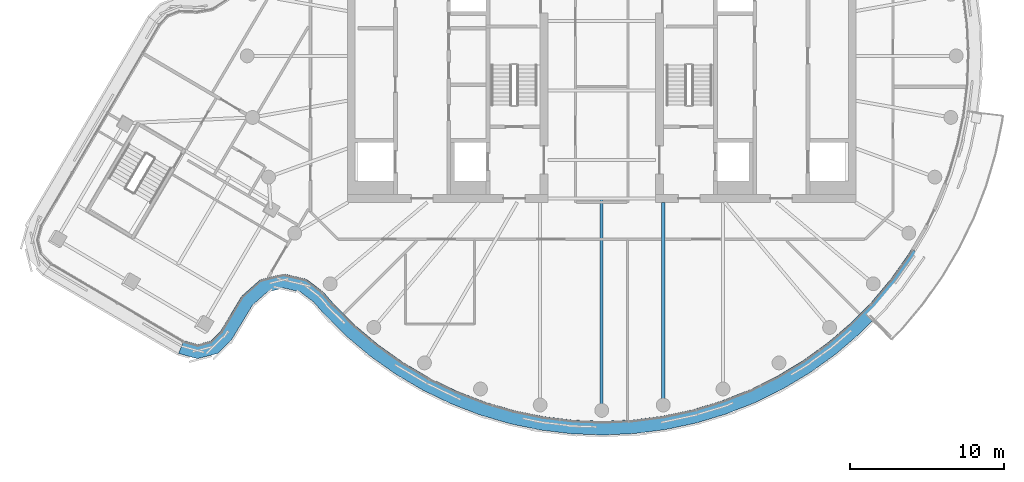
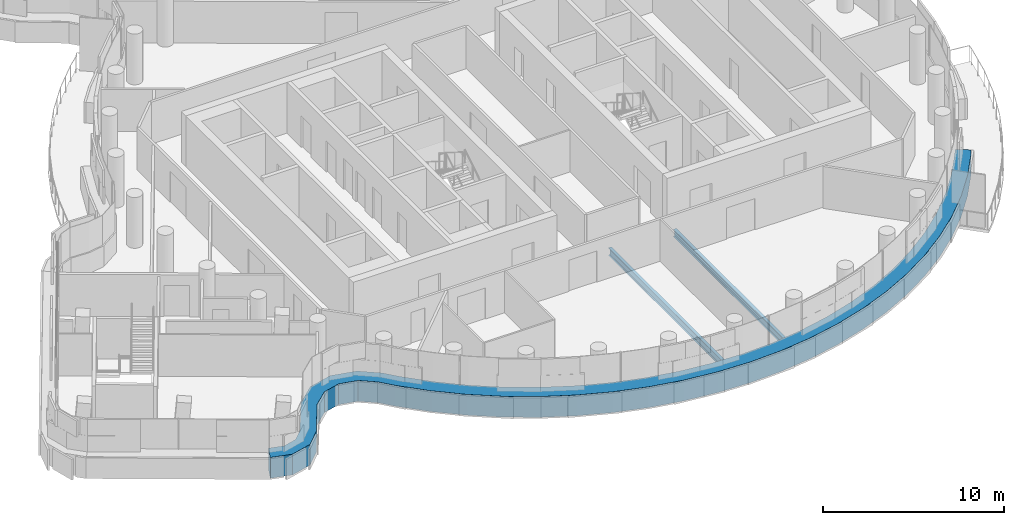
# One storey, part 6 of 26: 2 beams, 1 member, 1 element without a shape of its own.
"""IFC4 building model written with IfcOpenShell, lengths in metres."""

from ifc_helpers import new_model, si_unit, direction, frame, origin, origin_2d, place, context, subcontext, project, spatial, polyline, i_section, outline, extrude, material, layer, layer_set, material_profile, profile_set, type_object, element, aggregate, save


model = new_model("IFC4")

# Units and contexts
model_context = context("Model", 3, precision=1e-05, world=origin(), true_north=direction((0.0, 1.0)))
body_context = subcontext(model_context, "Body", "Model", "MODEL_VIEW")
ifc_project = project(units=[si_unit("LENGTHUNIT", "METRE"), si_unit("AREAUNIT", "SQUARE_METRE"), si_unit("VOLUMEUNIT", "CUBIC_METRE"), si_unit("PLANEANGLEUNIT", "RADIAN"), si_unit("MASSUNIT", "GRAM", prefix="KILO")], contexts=[model_context])

# Site, building, storey
site_placement = place(None, origin())
site = spatial("IfcSite", under=ifc_project, at=site_placement, CompositionType="ELEMENT")
building_placement = place(site_placement, origin())
building = spatial("IfcBuilding", under=site, at=building_placement, Name="Tamarind Cross Interchange Tower", CompositionType="ELEMENT")
storey_placement = place(building_placement, frame((0.0, 0.0, 248.699951171875)))
storey = spatial("IfcBuildingStorey", under=building, at=storey_placement, Name="L63", CompositionType="ELEMENT", Elevation=248.699951171875)

# Beams
ifc_material_1 = material(Name="Steel Q355B", Category="steel")
ifc_material_profile = material_profile(ifc_material_1, i_section(OverallWidth=0.198974609375, OverallDepth=0.49609375, WebThickness=0.009033203125, FlangeThickness=0.013916015625, FilletRadius=0.012939453125, at=origin_2d()), Name="HN 496x199x9x14")
ifc_profile_set = profile_set([ifc_material_profile], Name="Steel Q355B")
beam_type = type_object("IfcBeamType", Name="Composite beam HN 496x199x9x14 Q355B", PredefinedType="BEAM", material=ifc_profile_set)
beam_1_placement = place(storey_placement, frame((0.0, -23.0, -0.387939453125), z_axis=(0.0, 1.0, 0.0), x_axis=(-1.0, 0.0, 0.0)))
element("IfcBeam", 1, at=beam_1_placement, inside=storey, type_object=beam_type, Name="Beam HH27", PredefinedType="BEAM", context=body_context, shape_type="SweptSolid", body=[
    extrude(i_section(OverallWidth=0.198974609375, OverallDepth=0.49609375, WebThickness=0.009033203125, FlangeThickness=0.013916015625, FilletRadius=0.012939453125, at=origin_2d()), origin(), (0.0, 0.0, 1.0), 13.75),
])
beam_2_placement = place(storey_placement, frame((3.993896484375, -22.650634765625, -0.387939453125), z_axis=(0.0, 1.0, 0.0), x_axis=(-1.0, 0.0, 0.0)))
element("IfcBeam", 2, at=beam_2_placement, inside=storey, type_object=beam_type, Name="Beam HH28", PredefinedType="BEAM", context=body_context, shape_type="SweptSolid", body=[
    extrude(i_section(OverallWidth=0.198974609375, OverallDepth=0.49609375, WebThickness=0.009033203125, FlangeThickness=0.013916015625, FilletRadius=0.012939453125, at=origin_2d()), origin(), (0.0, 0.0, 1.0), 13.150634765625),
])

# Curtain wall, member
ifc_material_2 = material(Name="Aluminium 6063-T6", Category="aluminium")
ifc_layer = layer(ifc_material_2, 0.139892578125)
ifc_layer_set = layer_set([ifc_layer], Name="Aluminium 6063-T6")
curtain_wall_type = type_object("IfcCurtainWallType", Name="Hotel curtain wall, 4.5 m bays", PredefinedType="NOTDEFINED", material=ifc_layer_set)
curtain_wall_placement = place(storey_placement, origin())
curtain_wall = element("IfcCurtainWall", 3, at=curtain_wall_placement, inside=storey, type_object=curtain_wall_type, Name="CWS-L63-01", PredefinedType="NOTDEFINED")
ifc_material_3 = material(Name="Aluminium and insulated spandrel panel", Category="aluminium")
member_type = type_object("IfcMemberType", Name="Floor-edge blade transom", PredefinedType="USERDEFINED", material=ifc_material_3)
member_placement = place(storey_placement, origin())
member = element("IfcMember", 4, at=member_placement, type_object=member_type, Name="CWT-L63-01-0", ObjectType="TRANSOM", PredefinedType="USERDEFINED", context=body_context, shape_type="SweptSolid", body=[
    extrude(outline(polyline([(-27.102783203125, -18.470703125), (-26.220458984375, -18.71435546875), (-25.3740234375, -18.49462890625), (-24.720458984375, -17.851318359375), (-23.361083984375, -15.593994140625), (-22.1416015625, -14.506591796875), (-20.646240234375, -14.13232421875), (-19.155517578125, -14.484130859375), (-18.051025390625, -15.326171875), (-17.36474609375, -16.123046875), (-15.973388671875, -17.50244140625), (-14.4736328125, -18.76171875), (-12.874755859375, -19.892822265625), (-11.188232421875, -20.88818359375), (-9.425048828125, -21.74072265625), (-7.597412109375, -22.444580078125), (-5.718017578125, -22.995361328125), (-3.799560546875, -23.38916015625), (-1.855224609375, -23.623046875), (0.10205078125, -23.695556640625), (2.058349609375, -23.606201171875), (4.000732421875, -23.35546875), (5.915771484375, -22.9453125), (7.790283203125, -22.37841796875), (9.61181640625, -21.65869140625), (11.367431640625, -20.791015625), (13.045654296875, -19.78125), (14.634521484375, -18.636474609375), (16.12353515625, -17.3642578125), (17.50244140625, -15.973388671875), (18.76171875, -14.4736328125), (19.892822265625, -12.874755859375), (20.09765625, -12.527587890625), (20.86181640625, -13.003662109375), (20.64892578125, -13.3642578125), (19.474853515625, -15.023681640625), (18.167724609375, -16.580810546875), (16.736572265625, -18.0244140625), (15.19091796875, -19.344970703125), (13.54150390625, -20.533203125), (11.799560546875, -21.581298828125), (9.97705078125, -22.482177734375), (8.08642578125, -23.229248046875), (6.140625, -23.817626953125), (4.15283203125, -24.243408203125), (2.13671875, -24.50341796875), (0.10595703125, -24.59619140625), (-1.925537109375, -24.52099609375), (-3.944091796875, -24.2783203125), (-5.935302734375, -23.86962890625), (-7.88623046875, -23.2978515625), (-9.783203125, -22.567138671875), (-11.613525390625, -21.68212890625), (-13.3642578125, -20.64892578125), (-15.023681640625, -19.474853515625), (-16.580810546875, -18.167724609375), (-18.0234375, -16.7373046875), (-18.67138671875, -15.98486328125), (-19.548828125, -15.31591796875), (-20.639892578125, -15.05859375), (-21.7080078125, -15.325927734375), (-22.660400390625, -16.175048828125), (-24.00830078125, -18.412841796875), (-24.91455078125, -19.30517578125), (-26.227783203125, -19.646240234375), (-27.456787109375, -19.306640625), (-27.102783203125, -18.470703125)])), origin(), (0.0, 0.0, 1.0), 1.400146484375),
])
aggregate(curtain_wall, [member])

save(model, "model.ifc")
